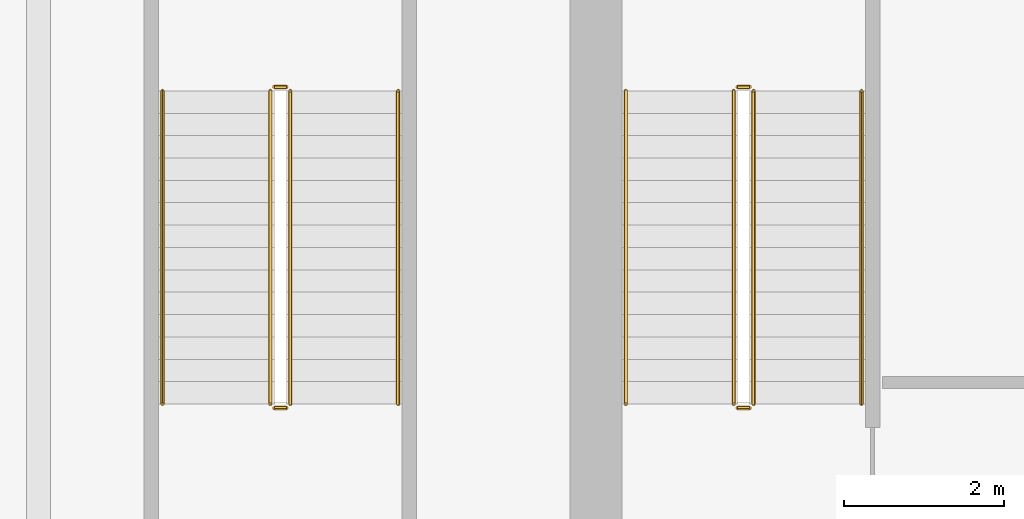
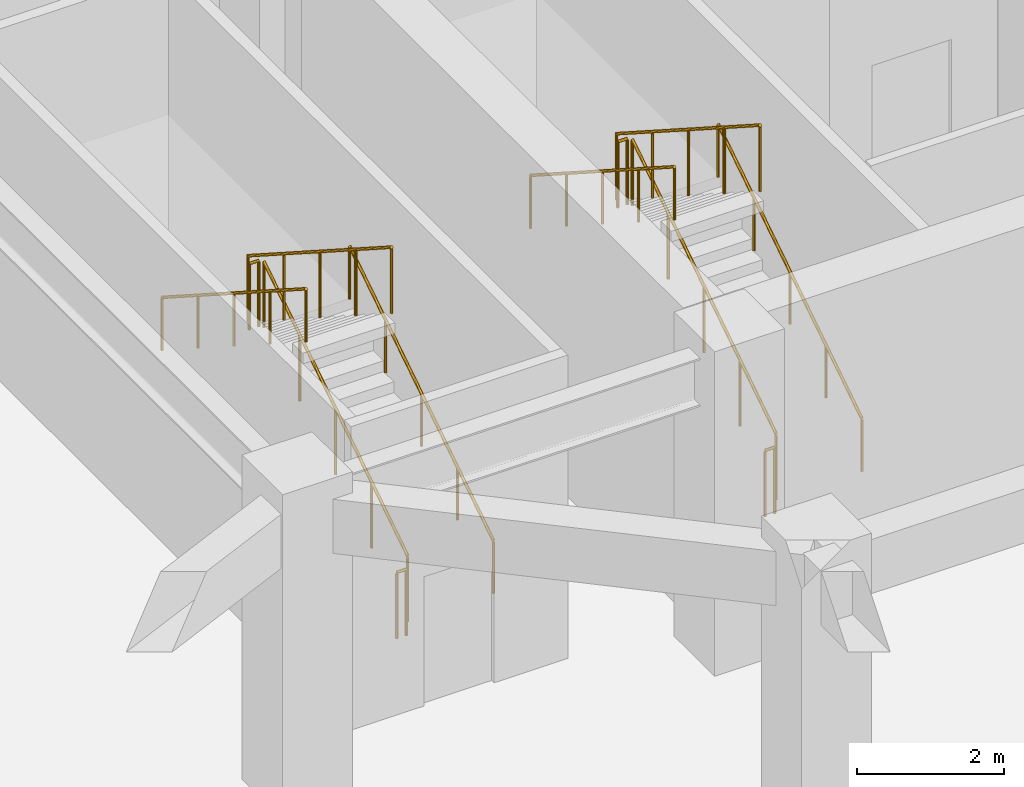
# One storey, part 12 of 14: 12 railings.
"""IFC4 building model written with IfcOpenShell, lengths in metres."""

import ifcopenshell
import ifcopenshell.guid

model = None  # the IFC model being written
_history = None  # IfcOwnerHistory: only IFC2X3 demands one
_inside = {}  # id of a spatial element -> (the spatial element, [elements in it])
_under = {}  # id of a project, library or spatial element -> (it, [spatial elements below it])
_declared = {}  # id of a project -> (the project, [libraries it declares])
_typed = {}  # id of a type object -> (the type object, [elements of that type])
_made_of = {}  # id of a material, layer set ... -> (it, [elements and type objects made of it])


def new_model(schema):
    """Start an empty IFC model of exactly this schema.

    Asked for "IFC4X3", IfcOpenShell would pick the latest addendum, in which some entities
    have other attributes; the version numbers below select the first issue.
    IFC2X3 requires an IfcOwnerHistory on every rooted entity: one is made here for all.
    """
    global model, _history
    if schema == "IFC4X3":
        model = ifcopenshell.file(schema_version=(4, 3, 0, 0))
    else:
        model = ifcopenshell.file(schema=schema)
    _inside.clear()
    _under.clear()
    _declared.clear()
    _typed.clear()
    _made_of.clear()
    _history = None
    if model.schema == "IFC2X3":
        org = make("IfcOrganization", Name="unknown")
        user = make(
            "IfcPersonAndOrganization",
            ThePerson=make("IfcPerson", FamilyName="unknown"),
            TheOrganization=org,
        )
        app = make(
            "IfcApplication",
            ApplicationDeveloper=org,
            Version="unknown",
            ApplicationFullName="unknown",
            ApplicationIdentifier="unknown",
        )
        _history = make(
            "IfcOwnerHistory",
            OwningUser=user,
            OwningApplication=app,
            ChangeAction="ADDED",
            CreationDate=0,
        )
    return model


def make(cls, **values):
    """One entity of the class cls with the attributes given. An attribute that is None is left unset."""
    return model.create_entity(
        cls, **{name: value for name, value in values.items() if value is not None}
    )


def rooted(cls, **values):
    """An entity with a GlobalId (a new one), such as an element, a storey or a relation."""
    return make(cls, GlobalId=ifcopenshell.guid.new(), OwnerHistory=_history, **values)


def si_unit(unit_type, name, prefix=None):
    """IfcSIUnit, for example si_unit("LENGTHUNIT", "METRE", prefix="MILLI")."""
    return make("IfcSIUnit", UnitType=unit_type, Prefix=prefix, Name=name)


def assignment(units):
    """IfcUnitAssignment: the units of a project."""
    return None if units is None else make("IfcUnitAssignment", Units=units)


def point(xyz):
    """IfcCartesianPoint."""
    return None if xyz is None else make("IfcCartesianPoint", Coordinates=xyz)


def direction(xyz):
    """IfcDirection."""
    return None if xyz is None else make("IfcDirection", DirectionRatios=xyz)


def frame(location, z_axis=None, x_axis=None):
    """IfcAxis2Placement3D, a coordinate frame: its origin and axes. An axis left out is left unset."""
    return make(
        "IfcAxis2Placement3D",
        Location=point(location),
        Axis=direction(z_axis),
        RefDirection=direction(x_axis),
    )


def frame_2d(location, x_axis=None):
    """IfcAxis2Placement2D, a coordinate frame in the plane: its origin and x axis."""
    return make(
        "IfcAxis2Placement2D", Location=point(location), RefDirection=direction(x_axis)
    )


def origin():
    """The frame at (0, 0, 0) with its axes left unset."""
    return frame((0.0, 0.0, 0.0))


def origin_2d():
    """The frame at (0, 0) in the plane with its x axis left unset."""
    return frame_2d((0.0, 0.0))


def place(relative_to, where):
    """IfcLocalPlacement: puts the frame where relative to a parent placement (None: the world)."""
    return make(
        "IfcLocalPlacement", PlacementRelTo=relative_to, RelativePlacement=where
    )


def context(
    kind, dimensions, precision=None, world=None, true_north=None, identifier=None
):
    """IfcGeometricRepresentationContext, for example the 3D "Model" context."""
    return make(
        "IfcGeometricRepresentationContext",
        ContextIdentifier=identifier,
        ContextType=kind,
        CoordinateSpaceDimension=dimensions,
        Precision=precision,
        WorldCoordinateSystem=world,
        TrueNorth=true_north,
    )


def subcontext(parent, identifier, kind, view, scale=None):
    """IfcGeometricRepresentationSubContext, for example "Body" below "Model"."""
    return make(
        "IfcGeometricRepresentationSubContext",
        ContextIdentifier=identifier,
        ContextType=kind,
        ParentContext=parent,
        TargetScale=scale,
        TargetView=view,
    )


def project(units=None, contexts=None):
    """IfcProject with its units and contexts."""
    return rooted(
        "IfcProject",
        Name="project",
        RepresentationContexts=contexts,
        UnitsInContext=assignment(units),
    )


def spatial(cls, under=None, at=None, **own):
    """A site, building, storey or space (cls), placed at a placement, below another one or the project."""
    s = rooted(cls, ObjectPlacement=at, **own)
    if under is not None:
        _under.setdefault(under.id(), (under, []))[1].append(s)
    return s


def profile(cls, at=None, kind="AREA", **sizes):
    """A parametric profile (cls). Its sizes go by their IFC names, for example OverallWidth=200.0."""
    return make(cls, ProfileType=kind, Position=at, **sizes)


def circle(**sizes):
    """IfcCircleProfileDef."""
    return profile("IfcCircleProfileDef", **sizes)


def extrude(swept, where, along, depth):
    """IfcExtrudedAreaSolid: the profile swept, set in the frame where, extruded along a direction by depth."""
    return make(
        "IfcExtrudedAreaSolid",
        SweptArea=swept,
        Position=where,
        ExtrudedDirection=direction(along),
        Depth=depth,
    )


def shape(context_of_items, identifier, shape_type, items):
    """IfcShapeRepresentation: the items that make up one representation, for example the "Body"."""
    return make(
        "IfcShapeRepresentation",
        ContextOfItems=context_of_items,
        RepresentationIdentifier=identifier,
        RepresentationType=shape_type,
        Items=items,
    )


def material(Name=None, Category=None):
    """IfcMaterial."""
    return make("IfcMaterial", Name=Name, Category=Category)


def made_of(thing, what):
    """Note that an element or type object is made of a material, layer set ...; save() writes the relation."""
    if what is not None:
        _made_of.setdefault(what.id(), (what, []))[1].append(thing)
    return thing


def type_object(cls, material=None, **own):
    """A type object (cls), such as IfcWallType, which elements share."""
    return made_of(rooted(cls, **own), material)


def element(
    cls,
    number,
    at=None,
    inside=None,
    cuts=None,
    type_object=None,
    material=None,
    context=None,
    identifier="Body",
    shape_type=None,
    held_by="IfcProductDefinitionShape",
    body=None,
    shapes=None,
    **own,
):
    """One element of the class cls, such as IfcWall. Its Tag is "e" and its number.

    at: its placement. inside: the storey or other place that contains it. cuts: it is an
    opening in that element (IfcRelVoidsElement). A single representation is given by context,
    identifier, shape_type and body (its items); several are given by shapes. held_by: the class
    of the entity that holds the representations. save() writes the other relations.
    """
    e = rooted(cls, Tag="e%d" % number, ObjectPlacement=at, **own)
    if body is not None:
        shapes = [shape(context, identifier, shape_type, body)]
    if shapes is not None:
        e.Representation = make(held_by, Representations=shapes)
    if inside is not None:
        _inside.setdefault(inside.id(), (inside, []))[1].append(e)
    if cuts is not None:
        rooted(
            "IfcRelVoidsElement", RelatingBuildingElement=cuts, RelatedOpeningElement=e
        )
    if type_object is not None:
        _typed.setdefault(type_object.id(), (type_object, []))[1].append(e)
    return made_of(e, material)


def aggregate(whole, parts):
    """IfcRelAggregates: a whole, such as a stair, and the parts it consists of."""
    return rooted("IfcRelAggregates", RelatingObject=whole, RelatedObjects=parts)


def save(model, path):
    """Write the relations noted so far, then the file.

    IfcRelAggregates (storeys below a building ...), IfcRelContainedInSpatialStructure (elements
    in a storey), IfcRelDefinesByType, IfcRelAssociatesMaterial and IfcRelDeclares: one each for
    every whole, place, type object, material and project.
    """
    for whole, parts in _under.values():
        aggregate(whole, parts)
    for where, things in _inside.values():
        rooted(
            "IfcRelContainedInSpatialStructure",
            RelatedElements=things,
            RelatingStructure=where,
        )
    for kind, things in _typed.values():
        rooted("IfcRelDefinesByType", RelatedObjects=things, RelatingType=kind)
    for what, things in _made_of.values():
        rooted("IfcRelAssociatesMaterial", RelatedObjects=things, RelatingMaterial=what)
    for by, libraries in _declared.values():
        rooted("IfcRelDeclares", RelatingContext=by, RelatedDefinitions=libraries)
    model.write(path)


model = new_model("IFC4")

# Units and contexts
model_context = context("Model", 3, precision=1e-05, world=origin(), true_north=direction((0.0, 1.0)))
body_context = subcontext(model_context, "Body", "Model", "MODEL_VIEW")
ifc_project = project(units=[si_unit("LENGTHUNIT", "METRE"), si_unit("AREAUNIT", "SQUARE_METRE"), si_unit("VOLUMEUNIT", "CUBIC_METRE"), si_unit("PLANEANGLEUNIT", "RADIAN"), si_unit("MASSUNIT", "GRAM", prefix="KILO")], contexts=[model_context])

# Site, building, storey
site_placement = place(None, origin())
site = spatial("IfcSite", under=ifc_project, at=site_placement, CompositionType="ELEMENT")
building_placement = place(site_placement, origin())
building = spatial("IfcBuilding", under=site, at=building_placement, Name="Saevonmaru Cultural Tower", CompositionType="ELEMENT")
storey_placement = place(building_placement, frame((0.0, 0.0, -5.39990234375)))
storey = spatial("IfcBuildingStorey", under=building, at=storey_placement, Name="B1", CompositionType="ELEMENT", Elevation=-5.39990234375)

# Railings
ifc_material_1 = material(Name="Architectural Painted Steel", Category="steel")
railing_type_1 = type_object("IfcRailingType", Name="RL-STAIR-GUARD", PredefinedType="GUARDRAIL", material=ifc_material_1)
railing_1_placement = place(storey_placement, frame((15.75, 44.85009765625, 0.179931640625)))
element("IfcRailing", 1, at=railing_1_placement, inside=storey, type_object=railing_type_1, Name="B1 ST-1 stair guard 1", PredefinedType="GUARDRAIL", context=body_context, shape_type="SweptSolid", body=[
    extrude(circle(Radius=0.02392578125, at=origin_2d()), frame((0.0, 0.0, 1.09619140625), z_axis=(0.0, 0.841171666519, 0.540768182723), x_axis=(-1.0, 0.0, 0.0)), (0.0, 0.0, 1.0), 4.66015625),
    extrude(circle(Radius=0.02099609375, at=origin_2d()), origin(), (0.0, 0.0, 1.0), 1.072021484375),
    extrude(circle(Radius=0.02099609375, at=origin_2d()), frame((0.0, 0.97998046875, 0.6298828125)), (0.0, 0.0, 1.0), 1.072021484375),
    extrude(circle(Radius=0.02099609375, at=origin_2d()), frame((0.0, 1.9599609375, 1.260009765625)), (0.0, 0.0, 1.0), 1.072021484375),
    extrude(circle(Radius=0.02099609375, at=origin_2d()), frame((0.0, 2.93994140625, 1.89013671875)), (0.0, 0.0, 1.0), 1.072021484375),
    extrude(circle(Radius=0.02099609375, at=origin_2d()), frame((0.0, 3.919921875, 2.52001953125)), (0.0, 0.0, 1.0), 1.072021484375),
])
railing_2_placement = place(storey_placement, frame((15.699951171875, 48.820068359375, 2.699951171875)))
element("IfcRailing", 2, at=railing_2_placement, inside=storey, type_object=railing_type_1, Name="B1 ST-1 stair guard 2", PredefinedType="GUARDRAIL", context=body_context, shape_type="SweptSolid", body=[
    extrude(circle(Radius=0.02392578125, at=origin_2d()), frame((0.0, 0.0, 1.09619140625), z_axis=(-1.0, 0.0, 0.0), x_axis=(0.0, -1.0, 0.0)), (0.0, 0.0, 1.0), 0.14990234375),
    extrude(circle(Radius=0.02099609375, at=origin_2d()), origin(), (0.0, 0.0, 1.0), 1.072021484375),
    extrude(circle(Radius=0.02099609375, at=origin_2d()), frame((-0.14990234375, 0.0, 0.0)), (0.0, 0.0, 1.0), 1.072021484375),
])
railing_3_placement = place(storey_placement, frame((15.5, 48.77001953125, 2.8798828125)))
element("IfcRailing", 3, at=railing_3_placement, inside=storey, type_object=railing_type_1, Name="B1 ST-1 stair guard 3", PredefinedType="GUARDRAIL", context=body_context, shape_type="SweptSolid", body=[
    extrude(circle(Radius=0.02392578125, at=origin_2d()), frame((0.0, 0.0, 1.09619140625), z_axis=(0.0, -0.841171666519, 0.540768182723), x_axis=(1.0, 0.0, 0.0)), (0.0, 0.0, 1.0), 4.66015625),
    extrude(circle(Radius=0.02099609375, at=origin_2d()), origin(), (0.0, 0.0, 1.0), 1.072021484375),
    extrude(circle(Radius=0.02099609375, at=origin_2d()), frame((0.0, -0.97998046875, 0.6298828125)), (0.0, 0.0, 1.0), 1.072021484375),
    extrude(circle(Radius=0.02099609375, at=origin_2d()), frame((0.0, -1.9599609375, 1.260009765625)), (0.0, 0.0, 1.0), 1.072021484375),
    extrude(circle(Radius=0.02099609375, at=origin_2d()), frame((0.0, -2.93994140625, 1.89013671875)), (0.0, 0.0, 1.0), 1.072021484375),
    extrude(circle(Radius=0.02099609375, at=origin_2d()), frame((0.0, -3.919921875, 2.52001953125)), (0.0, 0.0, 1.0), 1.072021484375),
])
railing_4_placement = place(storey_placement, frame((15.699951171875, 44.800048828125, 0.0)))
element("IfcRailing", 4, at=railing_4_placement, inside=storey, type_object=railing_type_1, Name="B1 ST-1 stair guard 4", PredefinedType="GUARDRAIL", context=body_context, shape_type="SweptSolid", body=[
    extrude(circle(Radius=0.02392578125, at=origin_2d()), frame((0.0, 0.0, 1.09619140625), z_axis=(-1.0, 0.0, 0.0), x_axis=(0.0, -1.0, 0.0)), (0.0, 0.0, 1.0), 0.14990234375),
    extrude(circle(Radius=0.02099609375, at=origin_2d()), origin(), (0.0, 0.0, 1.0), 1.072021484375),
    extrude(circle(Radius=0.02099609375, at=origin_2d()), frame((-0.14990234375, 0.0, 0.0)), (0.0, 0.0, 1.0), 1.072021484375),
])
railing_5_placement = place(storey_placement, frame((9.949951171875, 44.85009765625, 0.179931640625)))
element("IfcRailing", 5, at=railing_5_placement, inside=storey, type_object=railing_type_1, Name="B1 ST-3 stair guard 1", PredefinedType="GUARDRAIL", context=body_context, shape_type="SweptSolid", body=[
    extrude(circle(Radius=0.02392578125, at=origin_2d()), frame((0.0, 0.0, 1.09619140625), z_axis=(0.0, 0.841171666519, 0.540768182723), x_axis=(-1.0, 0.0, 0.0)), (0.0, 0.0, 1.0), 4.66015625),
    extrude(circle(Radius=0.02099609375, at=origin_2d()), origin(), (0.0, 0.0, 1.0), 1.072021484375),
    extrude(circle(Radius=0.02099609375, at=origin_2d()), frame((0.0, 0.97998046875, 0.6298828125)), (0.0, 0.0, 1.0), 1.072021484375),
    extrude(circle(Radius=0.02099609375, at=origin_2d()), frame((0.0, 1.9599609375, 1.260009765625)), (0.0, 0.0, 1.0), 1.072021484375),
    extrude(circle(Radius=0.02099609375, at=origin_2d()), frame((0.0, 2.93994140625, 1.89013671875)), (0.0, 0.0, 1.0), 1.072021484375),
    extrude(circle(Radius=0.02099609375, at=origin_2d()), frame((0.0, 3.919921875, 2.52001953125)), (0.0, 0.0, 1.0), 1.072021484375),
])
railing_6_placement = place(storey_placement, frame((9.89990234375, 48.820068359375, 2.699951171875)))
element("IfcRailing", 6, at=railing_6_placement, inside=storey, type_object=railing_type_1, Name="B1 ST-3 stair guard 2", PredefinedType="GUARDRAIL", context=body_context, shape_type="SweptSolid", body=[
    extrude(circle(Radius=0.02392578125, at=origin_2d()), frame((0.0, 0.0, 1.09619140625), z_axis=(-1.0, 0.0, 0.0), x_axis=(0.0, -1.0, 0.0)), (0.0, 0.0, 1.0), 0.14990234375),
    extrude(circle(Radius=0.02099609375, at=origin_2d()), origin(), (0.0, 0.0, 1.0), 1.072021484375),
    extrude(circle(Radius=0.02099609375, at=origin_2d()), frame((-0.14990234375, 0.0, 0.0)), (0.0, 0.0, 1.0), 1.072021484375),
])
railing_7_placement = place(storey_placement, frame((9.699951171875, 48.77001953125, 2.8798828125)))
element("IfcRailing", 7, at=railing_7_placement, inside=storey, type_object=railing_type_1, Name="B1 ST-3 stair guard 3", PredefinedType="GUARDRAIL", context=body_context, shape_type="SweptSolid", body=[
    extrude(circle(Radius=0.02392578125, at=origin_2d()), frame((0.0, 0.0, 1.09619140625), z_axis=(0.0, -0.841171666519, 0.540768182723), x_axis=(1.0, 0.0, 0.0)), (0.0, 0.0, 1.0), 4.66015625),
    extrude(circle(Radius=0.02099609375, at=origin_2d()), origin(), (0.0, 0.0, 1.0), 1.072021484375),
    extrude(circle(Radius=0.02099609375, at=origin_2d()), frame((0.0, -0.97998046875, 0.6298828125)), (0.0, 0.0, 1.0), 1.072021484375),
    extrude(circle(Radius=0.02099609375, at=origin_2d()), frame((0.0, -1.9599609375, 1.260009765625)), (0.0, 0.0, 1.0), 1.072021484375),
    extrude(circle(Radius=0.02099609375, at=origin_2d()), frame((0.0, -2.93994140625, 1.89013671875)), (0.0, 0.0, 1.0), 1.072021484375),
    extrude(circle(Radius=0.02099609375, at=origin_2d()), frame((0.0, -3.919921875, 2.52001953125)), (0.0, 0.0, 1.0), 1.072021484375),
])
railing_8_placement = place(storey_placement, frame((9.89990234375, 44.800048828125, 0.0)))
element("IfcRailing", 8, at=railing_8_placement, inside=storey, type_object=railing_type_1, Name="B1 ST-3 stair guard 4", PredefinedType="GUARDRAIL", context=body_context, shape_type="SweptSolid", body=[
    extrude(circle(Radius=0.02392578125, at=origin_2d()), frame((0.0, 0.0, 1.09619140625), z_axis=(-1.0, 0.0, 0.0), x_axis=(0.0, -1.0, 0.0)), (0.0, 0.0, 1.0), 0.14990234375),
    extrude(circle(Radius=0.02099609375, at=origin_2d()), origin(), (0.0, 0.0, 1.0), 1.072021484375),
    extrude(circle(Radius=0.02099609375, at=origin_2d()), frame((-0.14990234375, 0.0, 0.0)), (0.0, 0.0, 1.0), 1.072021484375),
])
ifc_material_2 = material(Name="Satin Bronze Anodised Aluminium", Category="aluminium")
railing_type_2 = type_object("IfcRailingType", Name="RL-STAIR-HANDRAIL", PredefinedType="HANDRAIL", material=ifc_material_2)
railing_9_placement = place(storey_placement, frame((17.10009765625, 44.85009765625, 0.179931640625)))
element("IfcRailing", 9, at=railing_9_placement, inside=storey, type_object=railing_type_2, Name="B1 ST-1 stair handrail 1", PredefinedType="HANDRAIL", context=body_context, shape_type="SweptSolid", body=[
    extrude(circle(Radius=0.02392578125, at=origin_2d()), frame((0.0, 0.0, 0.8759765625), z_axis=(0.0, 0.841171666519, 0.540768182723), x_axis=(-1.0, 0.0, 0.0)), (0.0, 0.0, 1.0), 4.66015625),
    extrude(circle(Radius=0.02099609375, at=origin_2d()), origin(), (0.0, 0.0, 1.0), 0.851806640625),
    extrude(circle(Radius=0.02099609375, at=origin_2d()), frame((0.0, 0.97998046875, 0.6298828125)), (0.0, 0.0, 1.0), 0.851806640625),
    extrude(circle(Radius=0.02099609375, at=origin_2d()), frame((0.0, 1.9599609375, 1.260009765625)), (0.0, 0.0, 1.0), 0.851806640625),
    extrude(circle(Radius=0.02099609375, at=origin_2d()), frame((0.0, 2.93994140625, 1.89013671875)), (0.0, 0.0, 1.0), 0.851806640625),
    extrude(circle(Radius=0.02099609375, at=origin_2d()), frame((0.0, 3.919921875, 2.52001953125)), (0.0, 0.0, 1.0), 0.851806640625),
])
railing_10_placement = place(storey_placement, frame((14.14990234375, 48.77001953125, 2.8798828125)))
element("IfcRailing", 10, at=railing_10_placement, inside=storey, type_object=railing_type_2, Name="B1 ST-1 stair handrail 2", PredefinedType="HANDRAIL", context=body_context, shape_type="SweptSolid", body=[
    extrude(circle(Radius=0.02392578125, at=origin_2d()), frame((0.0, 0.0, 0.8759765625), z_axis=(0.0, -0.841171666519, 0.540768182723), x_axis=(1.0, 0.0, 0.0)), (0.0, 0.0, 1.0), 4.66015625),
    extrude(circle(Radius=0.02099609375, at=origin_2d()), origin(), (0.0, 0.0, 1.0), 0.851806640625),
    extrude(circle(Radius=0.02099609375, at=origin_2d()), frame((0.0, -0.97998046875, 0.6298828125)), (0.0, 0.0, 1.0), 0.851806640625),
    extrude(circle(Radius=0.02099609375, at=origin_2d()), frame((0.0, -1.9599609375, 1.260009765625)), (0.0, 0.0, 1.0), 0.851806640625),
    extrude(circle(Radius=0.02099609375, at=origin_2d()), frame((0.0, -2.93994140625, 1.89013671875)), (0.0, 0.0, 1.0), 0.851806640625),
    extrude(circle(Radius=0.02099609375, at=origin_2d()), frame((0.0, -3.919921875, 2.52001953125)), (0.0, 0.0, 1.0), 0.851806640625),
])
railing_11_placement = place(storey_placement, frame((11.300048828125, 44.85009765625, 0.179931640625)))
element("IfcRailing", 11, at=railing_11_placement, inside=storey, type_object=railing_type_2, Name="B1 ST-3 stair handrail 1", PredefinedType="HANDRAIL", context=body_context, shape_type="SweptSolid", body=[
    extrude(circle(Radius=0.02392578125, at=origin_2d()), frame((0.0, 0.0, 0.8759765625), z_axis=(0.0, 0.841171666519, 0.540768182723), x_axis=(-1.0, 0.0, 0.0)), (0.0, 0.0, 1.0), 4.66015625),
    extrude(circle(Radius=0.02099609375, at=origin_2d()), origin(), (0.0, 0.0, 1.0), 0.851806640625),
    extrude(circle(Radius=0.02099609375, at=origin_2d()), frame((0.0, 0.97998046875, 0.6298828125)), (0.0, 0.0, 1.0), 0.851806640625),
    extrude(circle(Radius=0.02099609375, at=origin_2d()), frame((0.0, 1.9599609375, 1.260009765625)), (0.0, 0.0, 1.0), 0.851806640625),
    extrude(circle(Radius=0.02099609375, at=origin_2d()), frame((0.0, 2.93994140625, 1.89013671875)), (0.0, 0.0, 1.0), 0.851806640625),
    extrude(circle(Radius=0.02099609375, at=origin_2d()), frame((0.0, 3.919921875, 2.52001953125)), (0.0, 0.0, 1.0), 0.851806640625),
])
railing_12_placement = place(storey_placement, frame((8.35009765625, 48.77001953125, 2.8798828125)))
element("IfcRailing", 12, at=railing_12_placement, inside=storey, type_object=railing_type_2, Name="B1 ST-3 stair handrail 2", PredefinedType="HANDRAIL", context=body_context, shape_type="SweptSolid", body=[
    extrude(circle(Radius=0.02392578125, at=origin_2d()), frame((0.0, 0.0, 0.8759765625), z_axis=(0.0, -0.841171666519, 0.540768182723), x_axis=(1.0, 0.0, 0.0)), (0.0, 0.0, 1.0), 4.66015625),
    extrude(circle(Radius=0.02099609375, at=origin_2d()), origin(), (0.0, 0.0, 1.0), 0.851806640625),
    extrude(circle(Radius=0.02099609375, at=origin_2d()), frame((0.0, -0.97998046875, 0.6298828125)), (0.0, 0.0, 1.0), 0.851806640625),
    extrude(circle(Radius=0.02099609375, at=origin_2d()), frame((0.0, -1.9599609375, 1.260009765625)), (0.0, 0.0, 1.0), 0.851806640625),
    extrude(circle(Radius=0.02099609375, at=origin_2d()), frame((0.0, -2.93994140625, 1.89013671875)), (0.0, 0.0, 1.0), 0.851806640625),
    extrude(circle(Radius=0.02099609375, at=origin_2d()), frame((0.0, -3.919921875, 2.52001953125)), (0.0, 0.0, 1.0), 0.851806640625),
])

save(model, "model.ifc")
